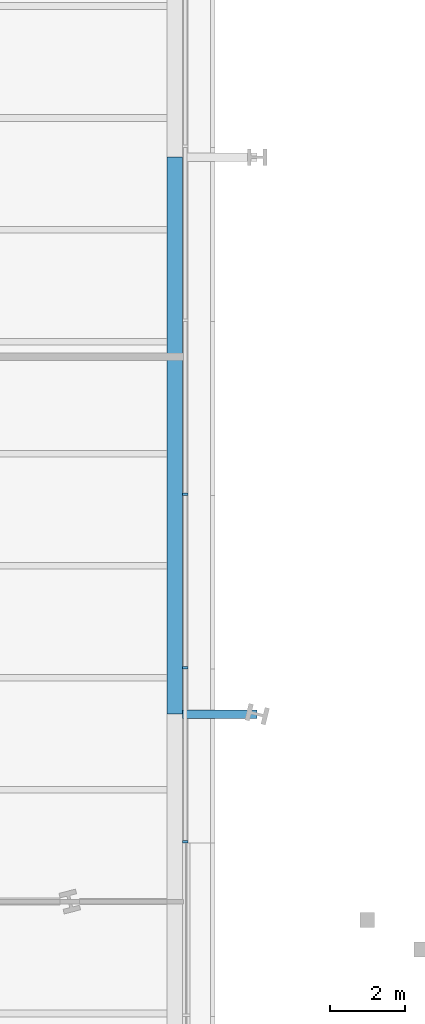
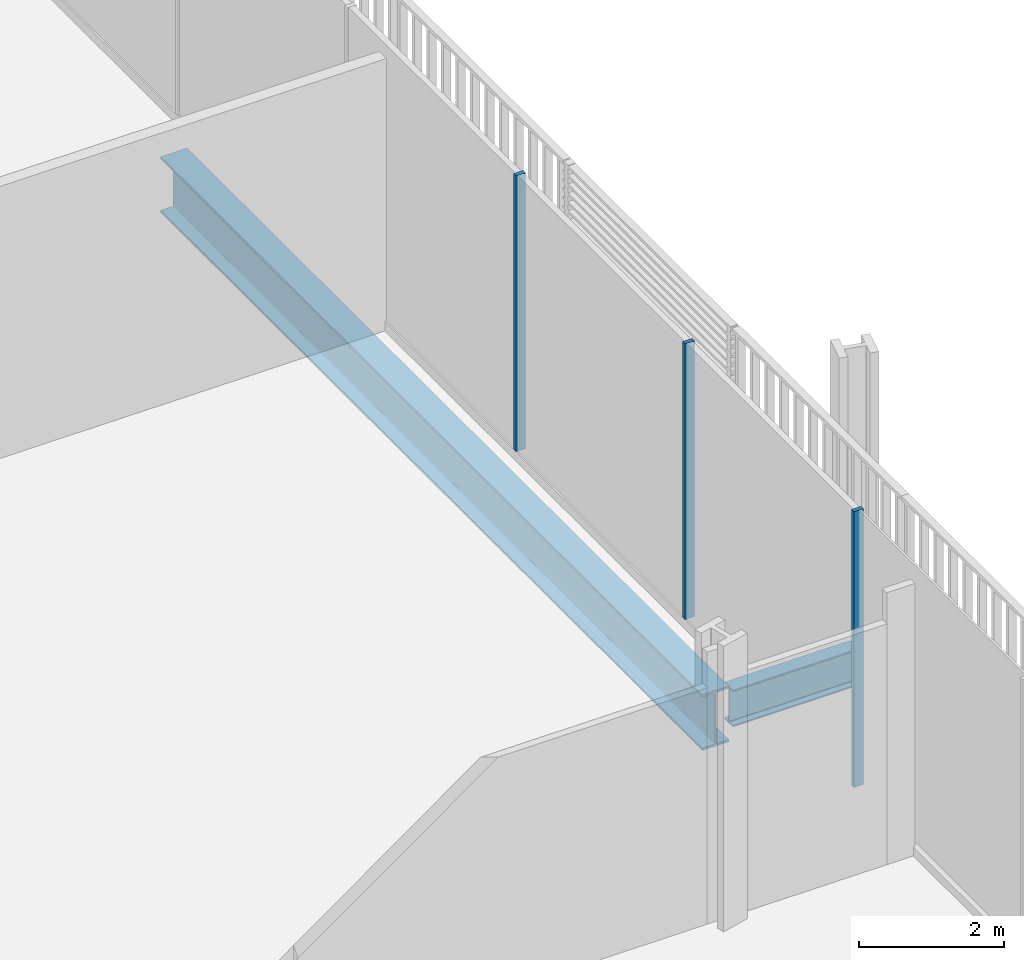
# One storey, part 6 of 25: 3 members, 2 beams, 1 element without a shape of its own.
"""IFC4 building model written with IfcOpenShell, lengths in metres."""

from ifc_helpers import new_model, si_unit, direction, frame, origin, origin_2d, place, context, subcontext, project, spatial, rectangle, i_section, extrude, material, layer, layer_set, material_profile, profile_set, type_object, element, aggregate, save


model = new_model("IFC4")

# Units and contexts
model_context = context("Model", 3, precision=1e-05, world=origin(), true_north=direction((0.0, 1.0)))
body_context = subcontext(model_context, "Body", "Model", "MODEL_VIEW")
ifc_project = project(units=[si_unit("LENGTHUNIT", "METRE"), si_unit("AREAUNIT", "SQUARE_METRE"), si_unit("VOLUMEUNIT", "CUBIC_METRE"), si_unit("PLANEANGLEUNIT", "RADIAN"), si_unit("MASSUNIT", "GRAM", prefix="KILO")], contexts=[model_context])

# Site, building, storey
site_placement = place(None, origin())
site = spatial("IfcSite", under=ifc_project, at=site_placement, CompositionType="ELEMENT")
building_placement = place(site_placement, origin())
building = spatial("IfcBuilding", under=site, at=building_placement, Name="Millrace Tower", CompositionType="ELEMENT")
storey_placement = place(building_placement, frame((0.0, 0.0, 6.5)))
storey = spatial("IfcBuildingStorey", under=building, at=storey_placement, Name="L02", CompositionType="ELEMENT", Elevation=6.5)

# Curtain wall, members
ifc_material_1 = material(Name="Aluminium and glass", Category="aluminium")
ifc_layer = layer(ifc_material_1, 0.14990234375)
ifc_layer_set = layer_set([ifc_layer], Name="Aluminium and glass")
curtain_wall_type = type_object("IfcCurtainWallType", Name="CW-2 data hall insulated curtain wall", PredefinedType="NOTDEFINED", material=ifc_layer_set)
curtain_wall_placement = place(storey_placement, origin())
curtain_wall = element("IfcCurtainWall", 1, at=curtain_wall_placement, inside=storey, type_object=curtain_wall_type, Name="Curtain wall AW2-F02 L02 CW2", PredefinedType="NOTDEFINED")
ifc_material_2 = material(Name="Aluminium", Category="aluminium")
ifc_material_profile_1 = material_profile(ifc_material_2, rectangle(XDim=0.06494140625, YDim=0.14990234375, at=origin_2d()))
ifc_profile_set_1 = profile_set([ifc_material_profile_1], Name="Aluminium")
member_type = type_object("IfcMemberType", Name="CW-2 data hall insulated curtain wall mullion", PredefinedType="MULLION", material=ifc_profile_set_1)
member_1_placement = place(storey_placement, frame((25.074951171875, -25.39453125, 0.159912109375), z_axis=(0.0, 0.0, 1.0), x_axis=(0.0, 1.0, 0.0)))
member_1 = element("IfcMember", 2, at=member_1_placement, type_object=member_type, Name="CW2 mullion AW2-F02.4", PredefinedType="MULLION", context=body_context, shape_type="SweptSolid", body=[
    extrude(rectangle(XDim=0.06494140625, YDim=0.14990234375, at=origin_2d()), origin(), (0.0, 0.0, 1.0), 4.64013671875),
])
member_2_placement = place(storey_placement, frame((25.074951171875, -20.73681640625, 0.159912109375), z_axis=(0.0, 0.0, 1.0), x_axis=(0.0, 1.0, 0.0)))
member_2 = element("IfcMember", 3, at=member_2_placement, type_object=member_type, Name="CW2 mullion AW2-F02.5", PredefinedType="MULLION", context=body_context, shape_type="SweptSolid", body=[
    extrude(rectangle(XDim=0.06494140625, YDim=0.14990234375, at=origin_2d()), origin(), (0.0, 0.0, 1.0), 4.64013671875),
])
member_3_placement = place(storey_placement, frame((25.074951171875, -16.0791015625, 0.159912109375), z_axis=(0.0, 0.0, 1.0), x_axis=(0.0, 1.0, 0.0)))
member_3 = element("IfcMember", 4, at=member_3_placement, type_object=member_type, Name="CW2 mullion AW2-F02.6", PredefinedType="MULLION", context=body_context, shape_type="SweptSolid", body=[
    extrude(rectangle(XDim=0.06494140625, YDim=0.14990234375, at=origin_2d()), origin(), (0.0, 0.0, 1.0), 4.64013671875),
])
aggregate(curtain_wall, [member_1, member_2, member_3])

# Beams
ifc_material_3 = material(Name="Steel ASTM A992 Grade 50", Category="steel")
ifc_material_profile_2 = material_profile(ifc_material_3, i_section(OverallWidth=0.23046875, OverallDepth=0.6171875, WebThickness=0.01318359375, FlangeThickness=0.022216796875, FilletRadius=0.012939453125, at=origin_2d()))
ifc_profile_set_2 = profile_set([ifc_material_profile_2], Name="Steel ASTM A992 Grade 50")
beam_type_1 = type_object("IfcBeamType", Name="Link beam W24x94", PredefinedType="BEAM", material=ifc_profile_set_2)
beam_1_placement = place(storey_placement, frame((25.0, -21.978515625, -0.53369140625), z_axis=(1.0, 0.0, 0.0), x_axis=(0.0, 1.0, 0.0)))
element("IfcBeam", 5, at=beam_1_placement, inside=storey, type_object=beam_type_1, Name="LNK-A-L02-S1-13", PredefinedType="BEAM", context=body_context, shape_type="SweptSolid", body=[
    extrude(i_section(OverallWidth=0.23046875, OverallDepth=0.6171875, WebThickness=0.01318359375, FlangeThickness=0.022216796875, FilletRadius=0.012939453125, at=origin_2d()), origin(), (0.0, 0.0, 1.0), 2.0),
])
ifc_material_4 = material(Name="Steel ASTM A992 Grade 50", Category="steel")
ifc_material_profile_3 = material_profile(ifc_material_4, i_section(OverallWidth=0.421630859375, OverallDepth=0.937255859375, WebThickness=0.021240234375, FlangeThickness=0.03662109375, FilletRadius=0.024169921875, at=origin_2d()))
ifc_profile_set_3 = profile_set([ifc_material_profile_3], Name="Steel ASTM A992 Grade 50")
beam_type_2 = type_object("IfcBeamType", Name="Ring beam medium span W36x262", PredefinedType="SPANDREL", material=ifc_profile_set_3)
beam_2_placement = place(storey_placement, frame((24.7890625, -7.050048828125, -0.693603515625), z_axis=(0.0, -1.0, 0.0), x_axis=(1.0, 0.0, 0.0)))
element("IfcBeam", 6, at=beam_2_placement, inside=storey, type_object=beam_type_2, Name="RNG-A-L02-S1-12", PredefinedType="SPANDREL", context=body_context, shape_type="SweptSolid", body=[
    extrude(i_section(OverallWidth=0.421630859375, OverallDepth=0.937255859375, WebThickness=0.021240234375, FlangeThickness=0.03662109375, FilletRadius=0.024169921875, at=origin_2d()), origin(), (0.0, 0.0, 1.0), 14.928466796875),
])

save(model, "model.ifc")
